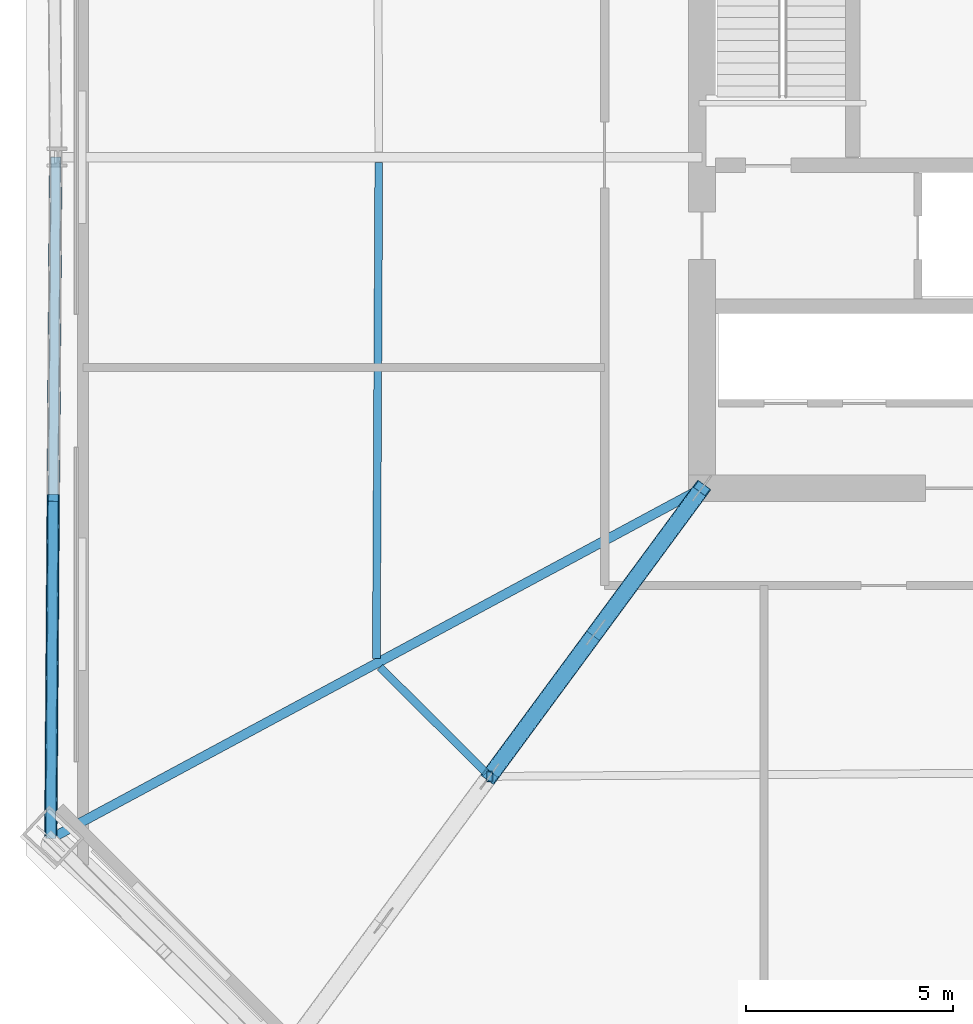
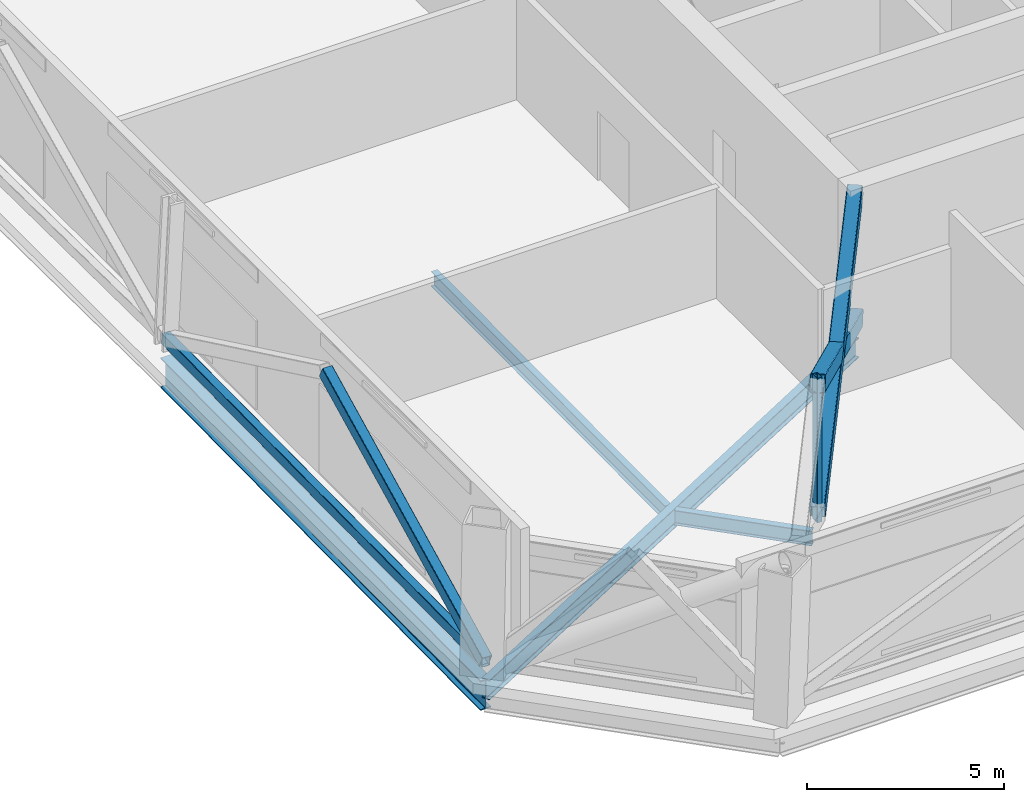
# One storey, part 2 of 14: 6 members, 4 beams.
"""IFC4 building model written with IfcOpenShell, lengths in metres."""

from ifc_helpers import new_model, si_unit, direction, frame, origin, origin_2d, place, context, subcontext, project, spatial, hollow_rectangle, i_section, extrude, material, material_profile, profile_set, type_object, element, save


model = new_model("IFC4")

# Units and contexts
model_context = context("Model", 3, precision=1e-05, world=origin(), true_north=direction((0.0, 1.0)))
body_context = subcontext(model_context, "Body", "Model", "MODEL_VIEW")
ifc_project = project(units=[si_unit("LENGTHUNIT", "METRE"), si_unit("AREAUNIT", "SQUARE_METRE"), si_unit("VOLUMEUNIT", "CUBIC_METRE"), si_unit("PLANEANGLEUNIT", "RADIAN"), si_unit("MASSUNIT", "GRAM", prefix="KILO")], contexts=[model_context])

# Site, building, storey
site_placement = place(None, origin())
site = spatial("IfcSite", under=ifc_project, at=site_placement, CompositionType="ELEMENT")
building_placement = place(site_placement, origin())
building = spatial("IfcBuilding", under=site, at=building_placement, Name="Caelvoria Tower", CompositionType="ELEMENT")
storey_placement = place(building_placement, frame((0.0, 0.0, 85.60009765625)))
storey = spatial("IfcBuildingStorey", under=building, at=storey_placement, Name="L22", CompositionType="ELEMENT", Elevation=85.60009765625)

# Members
ifc_material_1 = material(Name="Structural Steel ASTM A572 Gr.50", Category="steel")
ifc_material_profile_1 = material_profile(ifc_material_1, hollow_rectangle(XDim=0.25, YDim=0.35009765625, WallThickness=0.013916015625, InnerFilletRadius=0.013916015625, OuterFilletRadius=0.028076171875, at=origin_2d()), Name="Structural Steel ASTM A572 Gr.50")
ifc_profile_set_1 = profile_set([ifc_material_profile_1], Name="HSS350X250X14 - Structural Steel ASTM A572 Gr.50")
member_type_1 = type_object("IfcMemberType", Name="Belt Truss Chord Member HSS350X250X14", PredefinedType="CHORD", material=ifc_profile_set_1)
member_1_placement = place(storey_placement, frame((21.38671875, 32.0, 0.25), z_axis=(-0.007323530098, -0.999973182594, 0.0), x_axis=(0.999973182594, -0.007323530098, 0.0)))
element("IfcMember", 1, at=member_1_placement, inside=storey, type_object=member_type_1, Name="Belt Truss Bottom Chord L22-10", PredefinedType="CHORD", context=body_context, shape_type="SweptSolid", body=[
    extrude(hollow_rectangle(XDim=0.25, YDim=0.35009765625, WallThickness=0.013916015625, InnerFilletRadius=0.013916015625, OuterFilletRadius=0.028076171875, at=origin_2d()), origin(), (0.0, 0.0, 1.0), 16.46826171875),
])
ifc_material_profile_2 = material_profile(ifc_material_1, hollow_rectangle(XDim=0.300048828125, YDim=0.39990234375, WallThickness=0.01611328125, InnerFilletRadius=0.01611328125, OuterFilletRadius=0.031982421875, at=origin_2d()), Name="Structural Steel ASTM A572 Gr.50")
ifc_profile_set_2 = profile_set([ifc_material_profile_2], Name="HSS400X300X16 - Structural Steel ASTM A572 Gr.50")
member_type_2 = type_object("IfcMemberType", Name="Belt Truss Diagonal HSS400X300X16", PredefinedType="BRACE", material=ifc_profile_set_2)
member_2_placement = place(storey_placement, frame((21.326416015625, 23.76611328125, 4.22998046875), z_axis=(-0.006593681882, -0.900317875093, -0.435183004203), x_axis=(0.999973182594, -0.007323530098, 0.0)))
element("IfcMember", 2, at=member_2_placement, inside=storey, type_object=member_type_2, Name="Belt Truss Diagonal L22-10B", PredefinedType="BRACE", context=body_context, shape_type="SweptSolid", body=[
    extrude(hollow_rectangle(XDim=0.300048828125, YDim=0.39990234375, WallThickness=0.01611328125, InnerFilletRadius=0.01611328125, OuterFilletRadius=0.031982421875, at=origin_2d()), origin(), (0.0, 0.0, 1.0), 9.1455078125),
])
ifc_material_profile_3 = material_profile(ifc_material_1, hollow_rectangle(XDim=0.39990234375, YDim=0.5, WallThickness=0.02197265625, InnerFilletRadius=0.02197265625, OuterFilletRadius=0.0439453125, at=origin_2d()), Name="Structural Steel ASTM A572 Gr.50")
ifc_profile_set_3 = profile_set([ifc_material_profile_3], Name="HSS500X400X22 - Structural Steel ASTM A572 Gr.50")
member_type_3 = type_object("IfcMemberType", Name="Outrigger Diagonal HSS500X400X22", PredefinedType="BRACE", material=ifc_profile_set_3)
member_3_placement = place(storey_placement, frame((37.0, 24.0, 0.25), z_axis=(-0.538776675709, -0.731396581999, 0.418065465629), x_axis=(0.805133172892, -0.593094068348, 0.0)))
element("IfcMember", 3, at=member_3_placement, inside=storey, type_object=member_type_3, Name="Outrigger Truss Diagonal L22-SW-1A", PredefinedType="BRACE", context=body_context, shape_type="SweptSolid", body=[
    extrude(hollow_rectangle(XDim=0.39990234375, YDim=0.5, WallThickness=0.02197265625, InnerFilletRadius=0.02197265625, OuterFilletRadius=0.0439453125, at=origin_2d()), origin(), (0.0, 0.0, 1.0), 9.52001953125),
])
for number, where, z_axis, x_axis, name in (
    (4, (37.0, 24.0, 4.22998046875), (-0.538758474541, -0.731406687638, -0.418071242001), (0.805146653518, -0.593075767781, 0.0), "Outrigger Truss Diagonal L22-SW-1B1"),
    (5, (34.435546875, 20.5185546875, 2.239990234375), (-0.538794876123, -0.731386476298, -0.418059689222), (0.805119692301, -0.593112367996, 0.0), "Outrigger Truss Diagonal L22-SW-1B2"),
):
    element("IfcMember", number, at=place(storey_placement, frame(where, z_axis=z_axis, x_axis=x_axis)), inside=storey, type_object=member_type_3, Name=name, PredefinedType="BRACE", context=body_context, shape_type="SweptSolid", body=[
        extrude(hollow_rectangle(XDim=0.39990234375, YDim=0.5, WallThickness=0.02197265625, InnerFilletRadius=0.02197265625, OuterFilletRadius=0.0439453125, at=origin_2d()), origin(), (0.0, 0.0, 1.0), 4.760009765625),
    ])

# Beams
ifc_material_2 = material(Name="Structural Steel ASTM A992 Gr.50", Category="steel")
ifc_material_profile_4 = material_profile(ifc_material_2, i_section(OverallWidth=0.30810546875, OverallDepth=0.927001953125, WebThickness=0.019287109375, FlangeThickness=0.031982421875, FilletRadius=0.02392578125, at=origin_2d()), Name="Structural Steel ASTM A992 Gr.50")
ifc_profile_set_4 = profile_set([ifc_material_profile_4], Name="W920X289 - Structural Steel ASTM A992 Gr.50")
beam_type_1 = type_object("IfcBeamType", Name="Outrigger Tie Girder W920X289", PredefinedType="BEAM", material=ifc_profile_set_4)
beam_1_placement = place(storey_placement, frame((21.38671875, 32.0, -0.78369140625), z_axis=(-0.007323530098, -0.999973182594, 0.0), x_axis=(0.999973182594, -0.007323530098, 0.0)))
element("IfcBeam", 6, at=beam_1_placement, inside=storey, type_object=beam_type_1, Name="Perimeter Spandrel Girder L22-10", PredefinedType="BEAM", context=body_context, shape_type="SweptSolid", body=[
    extrude(i_section(OverallWidth=0.30810546875, OverallDepth=0.927001953125, WebThickness=0.019287109375, FlangeThickness=0.031982421875, FilletRadius=0.02392578125, at=origin_2d()), origin(), (0.0, 0.0, 1.0), 16.46826171875),
])
ifc_material_profile_5 = material_profile(ifc_material_2, i_section(OverallWidth=0.22900390625, OverallDepth=0.612060546875, WebThickness=0.011962890625, FlangeThickness=0.01953125, FilletRadius=0.01806640625, at=origin_2d()), Name="Structural Steel ASTM A992 Gr.50")
ifc_profile_set_5 = profile_set([ifc_material_profile_5], Name="W610X125 - Structural Steel ASTM A992 Gr.50")
beam_type_2 = type_object("IfcBeamType", Name="Primary Radial Floor Girder W610X125", PredefinedType="BEAM", material=ifc_profile_set_5)
beam_2_placement = place(storey_placement, frame((37.0, 24.0, -0.6259765625), z_axis=(-0.880571990925, -0.473912406251, 0.0), x_axis=(0.473912406251, -0.880571990925, 0.0)))
element("IfcBeam", 7, at=beam_2_placement, inside=storey, type_object=beam_type_2, Name="Primary Floor Girder L22-11", PredefinedType="BEAM", context=body_context, shape_type="SweptSolid", body=[
    extrude(i_section(OverallWidth=0.22900390625, OverallDepth=0.612060546875, WebThickness=0.011962890625, FlangeThickness=0.01953125, FilletRadius=0.01806640625, at=origin_2d()), origin(), (0.0, 0.0, 1.0), 17.867919921875),
])
ifc_material_profile_6 = material_profile(ifc_material_2, i_section(OverallWidth=0.18994140625, OverallDepth=0.45703125, WebThickness=0.009033203125, FlangeThickness=0.014404296875, FilletRadius=0.014892578125, at=origin_2d()), Name="Structural Steel ASTM A992 Gr.50")
ifc_profile_set_6 = profile_set([ifc_material_profile_6], Name="W460X74 - Structural Steel ASTM A992 Gr.50")
beam_type_3 = type_object("IfcBeamType", Name="Secondary Floor Beam W460X74", PredefinedType="BEAM", material=ifc_profile_set_6)
beam_3_placement = place(storey_placement, frame((29.19287109375, 31.875, -0.548583984375), z_axis=(-0.004950434389, -0.999987746525, 0.0), x_axis=(0.999987746525, -0.004950434389, 0.0)))
element("IfcBeam", 8, at=beam_3_placement, inside=storey, type_object=beam_type_3, Name="Secondary Floor Beam L22-10", PredefinedType="BEAM", context=body_context, shape_type="SweptSolid", body=[
    extrude(i_section(OverallWidth=0.18994140625, OverallDepth=0.45703125, WebThickness=0.009033203125, FlangeThickness=0.014404296875, FilletRadius=0.014892578125, at=origin_2d()), origin(), (0.0, 0.0, 1.0), 11.984130859375),
])
beam_4_placement = place(storey_placement, frame((29.221435546875, 19.677978515625, -0.548583984375), z_axis=(0.708287398266, -0.705924189597, 0.0), x_axis=(0.705924189597, 0.708287398266, 0.0)))
element("IfcBeam", 9, at=beam_4_placement, inside=storey, type_object=beam_type_3, Name="Secondary Floor Beam L22-11", PredefinedType="BEAM", context=body_context, shape_type="SweptSolid", body=[
    extrude(i_section(OverallWidth=0.18994140625, OverallDepth=0.45703125, WebThickness=0.009033203125, FlangeThickness=0.014404296875, FilletRadius=0.014892578125, at=origin_2d()), origin(), (0.0, 0.0, 1.0), 3.61572265625),
])

# Member
ifc_material_profile_7 = material_profile(ifc_material_1, hollow_rectangle(XDim=0.14990234375, YDim=0.25, WallThickness=0.010009765625, InnerFilletRadius=0.010009765625, OuterFilletRadius=0.02001953125, at=origin_2d()), Name="Structural Steel ASTM A572 Gr.50")
ifc_profile_set_7 = profile_set([ifc_material_profile_7], Name="HSS250X150X10 - Structural Steel ASTM A572 Gr.50")
member_type_4 = type_object("IfcMemberType", Name="Sky Pool Truss Post HSS250X150X10", PredefinedType="POST", material=ifc_profile_set_7)
member_4_placement = place(storey_placement, frame((31.870849609375, 17.037109375, 0.0), z_axis=(0.0, 0.0, 1.0), x_axis=(1.0, 0.0, 0.0)))
element("IfcMember", 10, at=member_4_placement, inside=storey, type_object=member_type_4, Name="Outrigger Mid-Panel Post L22-SW", PredefinedType="POST", context=body_context, shape_type="SweptSolid", body=[
    extrude(hollow_rectangle(XDim=0.14990234375, YDim=0.25, WallThickness=0.010009765625, InnerFilletRadius=0.010009765625, OuterFilletRadius=0.02001953125, at=origin_2d()), origin(), (0.0, 0.0, 1.0), 4.47998046875),
])

save(model, "model.ifc")
